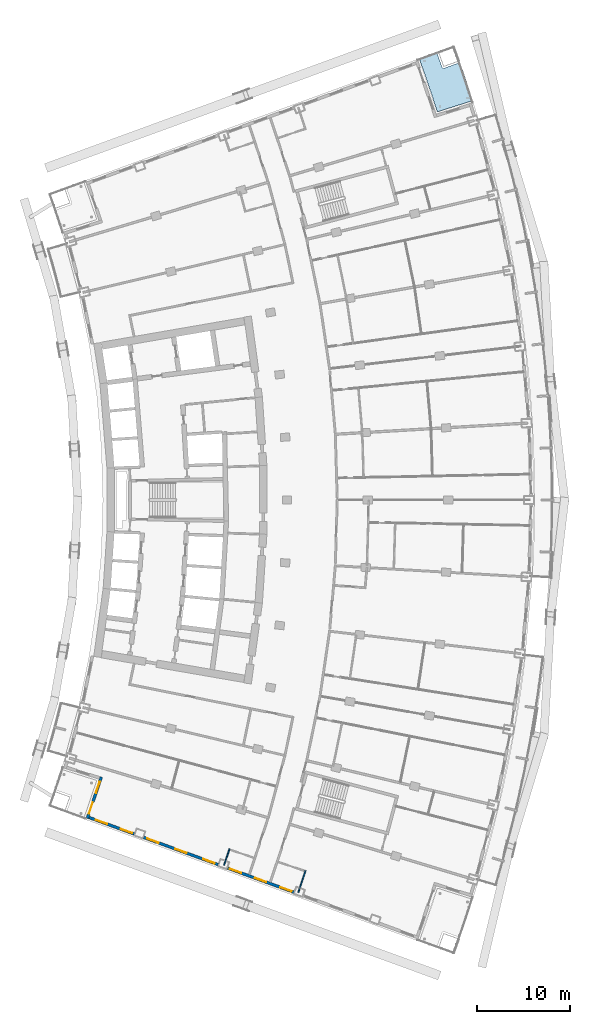
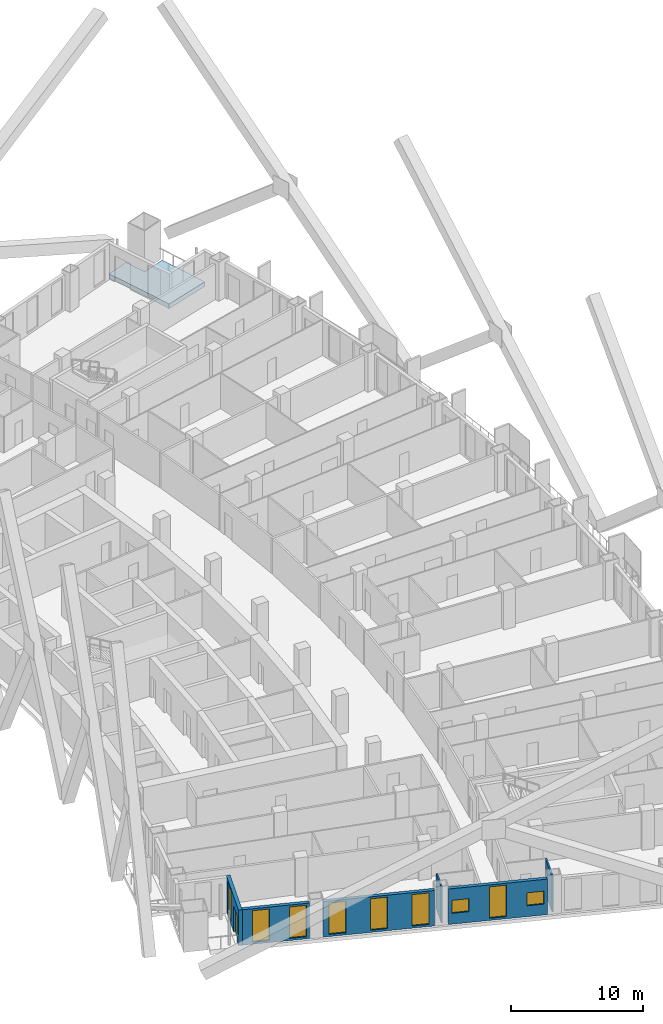
# One storey, part 13 of 26: 9 windows, 6 walls, 1 door, 1 slab, 10 openings.
"""IFC4 building model written with IfcOpenShell, lengths in metres."""

from ifc_helpers import new_model, si_unit, direction, frame, frame_2d, origin, place, context, subcontext, project, spatial, polyline, rectangle, outline, extrude, material, layer, layer_set, type_object, element, fill, save


model = new_model("IFC4")

# Units and contexts
model_context = context("Model", 3, precision=1e-05, world=origin(), true_north=direction((0.0, 1.0)))
body_context = subcontext(model_context, "Body", "Model", "MODEL_VIEW")
ifc_project = project(units=[si_unit("LENGTHUNIT", "METRE"), si_unit("AREAUNIT", "SQUARE_METRE"), si_unit("VOLUMEUNIT", "CUBIC_METRE"), si_unit("PLANEANGLEUNIT", "RADIAN"), si_unit("MASSUNIT", "GRAM", prefix="KILO")], contexts=[model_context])

# Site, building, storey
site_placement = place(None, origin())
site = spatial("IfcSite", under=ifc_project, at=site_placement, CompositionType="ELEMENT")
building_placement = place(site_placement, origin())
building = spatial("IfcBuilding", under=site, at=building_placement, Name="Alderwake Tower", CompositionType="ELEMENT")
storey_placement = place(building_placement, frame((0.0, 0.0, 82.39990234375)))
storey = spatial("IfcBuildingStorey", under=building, at=storey_placement, Name="L19", CompositionType="ELEMENT", Elevation=82.39990234375)

# Slab
ifc_material_1 = material(Name="Concrete C50/60", Category="concrete")
ifc_layer_1 = layer(ifc_material_1, 0.419921875)
ifc_layer_set_1 = layer_set([ifc_layer_1], Name="Terrace slab 420")
slab_type = type_object("IfcSlabType", Name="Terrace slab 420", PredefinedType="FLOOR", material=ifc_layer_set_1)
slab_placement = place(storey_placement, frame((0.0, 0.0, -0.419921875)))
element("IfcSlab", 1, at=slab_placement, inside=storey, type_object=slab_type, Name="Corner terrace FN", PredefinedType="FLOOR", context=body_context, shape_type="SweptSolid", body=[
    extrude(outline(polyline([(54.464599609375, 107.872802734375), (55.1337890625, 105.906982421875), (55.774169921875, 103.931396484375), (51.96044921875, 102.7255859375), (51.337890625, 104.6455078125), (50.6875, 106.55615234375), (50.00927734375, 108.45703125), (51.89599609375, 109.145751953125), (51.897216796875, 109.133544921875), (51.900146484375, 109.119140625), (51.904296875, 109.10498046875), (52.477294921875, 107.50439453125), (52.48291015625, 107.490966796875), (52.48974609375, 107.477783203125), (52.498046875, 107.4658203125), (52.50732421875, 107.454345703125), (52.517578125, 107.44384765625), (52.529052734375, 107.4345703125), (52.541259765625, 107.426513671875), (52.55419921875, 107.41943359375), (52.56787109375, 107.413818359375), (52.58203125, 107.409423828125), (52.596435546875, 107.406494140625), (52.611083984375, 107.4052734375), (52.625732421875, 107.4052734375), (52.640380859375, 107.406494140625), (52.65478515625, 107.409423828125), (52.6689453125, 107.413818359375), (54.406494140625, 108.035400390625), (54.464599609375, 107.872802734375)])), origin(), (0.0, 0.0, 1.0), 0.419921875),
])

# Wall, openings, door, window
ifc_material_2 = material(Name="Bronze metal cladding on lightweight framing")
ifc_layer_2 = layer(ifc_material_2, 0.300048828125)
ifc_layer_set_2 = layer_set([ifc_layer_2], Name="External wall EW2 bronze metal cladding")
wall_type_1 = type_object("IfcWallType", Name="External wall EW2 bronze metal cladding", PredefinedType="SOLIDWALL", material=ifc_layer_set_2)
wall_1_placement = place(storey_placement, frame((15.83740234375, 31.220703125, 0.0), z_axis=(0.0, 0.0, 1.0), x_axis=(-0.32041006121, -0.947278941324, 0.0)))
wall_1 = element("IfcWall", 2, at=wall_1_placement, inside=storey, type_object=wall_type_1, Name="External wall 3", PredefinedType="SOLIDWALL", context=body_context, shape_type="SweptSolid", body=[
    extrude(rectangle(XDim=4.68994140625, YDim=0.300048828125, at=frame_2d((2.344970703125, 0.0))), origin(), (0.0, 0.0, 1.0), 3.280029296875),
])
opening_1_placement = place(wall_1_placement, frame((0.5224609375, 0.0, 0.199951171875)))
opening_1 = element("IfcOpeningElement", 3, at=opening_1_placement, cuts=wall_1, Name="Opening W1", PredefinedType="OPENING", context=body_context, shape_type="SweptSolid", body=[
    extrude(rectangle(XDim=1.300048828125, YDim=2.89990234375, at=frame_2d((0.64990234375, 1.449951171875))), frame((0.0, 0.159912109375, 0.0), z_axis=(0.0, -1.0, 0.0), x_axis=(1.0, 0.0, 0.0)), (0.0, 0.0, 1.0), 0.320068359375),
])
opening_2_placement = place(wall_1_placement, frame((2.867431640625, 0.0, 0.0)))
opening_2 = element("IfcOpeningElement", 4, at=opening_2_placement, cuts=wall_1, Name="Opening D01", PredefinedType="OPENING", context=body_context, shape_type="SweptSolid", body=[
    extrude(rectangle(XDim=1.300048828125, YDim=2.39990234375, at=frame_2d((0.64990234375, 1.199951171875))), frame((0.0, 0.159912109375, 0.0), z_axis=(0.0, -1.0, 0.0), x_axis=(1.0, 0.0, 0.0)), (0.0, 0.0, 1.0), 0.320068359375),
])
ifc_material_3 = material(Name="Bronze tinted glass in aluminium frame", Category="aluminium")
door_type = type_object("IfcDoorType", Name="Balcony door BD sliding", OperationType="SLIDING_TO_LEFT", PredefinedType="DOOR", material=ifc_material_3)
door_placement = place(opening_2_placement, origin())
door = element("IfcDoor", 5, at=door_placement, inside=storey, type_object=door_type, Name="Door D01", OperationType="SLIDING_TO_LEFT", OverallHeight=2.39990234375, OverallWidth=1.300048828125, PredefinedType="DOOR", context=body_context, shape_type="SweptSolid", body=[
    extrude(rectangle(XDim=1.300048828125, YDim=2.39990234375, at=frame_2d((0.64990234375, 1.199951171875))), frame((0.0, 0.02490234375, 0.0), z_axis=(0.0, -1.0, 0.0), x_axis=(1.0, 0.0, 0.0)), (0.0, 0.0, 1.0), 0.050048828125),
])
fill(opening_2, door)
ifc_material_4 = material(Name="Bronze tinted glass in aluminium frame", Category="aluminium")
window_type_1 = type_object("IfcWindowType", Name="Window W1 tall fixed and vent", PartitioningType="DOUBLE_PANEL_VERTICAL", PredefinedType="WINDOW", material=ifc_material_4)
window_1_placement = place(opening_1_placement, origin())
window_1 = element("IfcWindow", 6, at=window_1_placement, inside=storey, type_object=window_type_1, Name="Window W1 tall fixed and vent", OverallHeight=2.89990234375, OverallWidth=1.300048828125, PartitioningType="DOUBLE_PANEL_VERTICAL", PredefinedType="WINDOW", context=body_context, shape_type="SweptSolid", body=[
    extrude(rectangle(XDim=1.300048828125, YDim=2.89990234375, at=frame_2d((0.64990234375, 1.449951171875))), frame((0.0, 0.030029296875, 0.0), z_axis=(0.0, -1.0, 0.0), x_axis=(1.0, 0.0, 0.0)), (0.0, 0.0, 1.0), 0.06005859375),
])
fill(opening_1, window_1)

# Wall, openings, windows
wall_2_placement = place(storey_placement, frame((14.523681640625, 26.86865234375, 0.0), z_axis=(0.0, 0.0, 1.0), x_axis=(0.939378067131, -0.342883138974, 0.0)))
wall_2 = element("IfcWall", 7, at=wall_2_placement, inside=storey, type_object=wall_type_1, Name="External wall 4", PredefinedType="SOLIDWALL", context=body_context, shape_type="SweptSolid", body=[
    extrude(rectangle(XDim=5.17431640625, YDim=0.300048828125, at=frame_2d((2.587158203125, 0.0))), origin(), (0.0, 0.0, 1.0), 3.280029296875),
])
opening_3_placement = place(wall_2_placement, frame((0.775390625, 0.0, 0.199951171875)))
opening_3 = element("IfcOpeningElement", 8, at=opening_3_placement, cuts=wall_2, Name="Opening W1", PredefinedType="OPENING", context=body_context, shape_type="SweptSolid", body=[
    extrude(rectangle(XDim=1.300048828125, YDim=2.89990234375, at=frame_2d((0.64990234375, 1.449951171875))), frame((0.0, 0.159912109375, 0.0), z_axis=(0.0, -1.0, 0.0), x_axis=(1.0, 0.0, 0.0)), (0.0, 0.0, 1.0), 0.320068359375),
])
opening_4_placement = place(wall_2_placement, frame((3.626220703125, 0.0, 0.199951171875)))
opening_4 = element("IfcOpeningElement", 9, at=opening_4_placement, cuts=wall_2, Name="Opening W1", PredefinedType="OPENING", context=body_context, shape_type="SweptSolid", body=[
    extrude(rectangle(XDim=1.300048828125, YDim=2.89990234375, at=frame_2d((0.64990234375, 1.449951171875))), frame((0.0, 0.159912109375, 0.0), z_axis=(0.0, -1.0, 0.0), x_axis=(1.0, 0.0, 0.0)), (0.0, 0.0, 1.0), 0.320068359375),
])
window_2_placement = place(opening_3_placement, origin())
window_2 = element("IfcWindow", 10, at=window_2_placement, inside=storey, type_object=window_type_1, Name="Window W1 tall fixed and vent", OverallHeight=2.89990234375, OverallWidth=1.300048828125, PartitioningType="DOUBLE_PANEL_VERTICAL", PredefinedType="WINDOW", context=body_context, shape_type="SweptSolid", body=[
    extrude(rectangle(XDim=1.300048828125, YDim=2.89990234375, at=frame_2d((0.64990234375, 1.449951171875))), frame((0.0, 0.030029296875, 0.0), z_axis=(0.0, -1.0, 0.0), x_axis=(1.0, 0.0, 0.0)), (0.0, 0.0, 1.0), 0.06005859375),
])
fill(opening_3, window_2)
window_3_placement = place(opening_4_placement, origin())
window_3 = element("IfcWindow", 11, at=window_3_placement, inside=storey, type_object=window_type_1, Name="Window W1 tall fixed and vent", OverallHeight=2.89990234375, OverallWidth=1.300048828125, PartitioningType="DOUBLE_PANEL_VERTICAL", PredefinedType="WINDOW", context=body_context, shape_type="SweptSolid", body=[
    extrude(rectangle(XDim=1.300048828125, YDim=2.89990234375, at=frame_2d((0.64990234375, 1.449951171875))), frame((0.0, 0.030029296875, 0.0), z_axis=(0.0, -1.0, 0.0), x_axis=(1.0, 0.0, 0.0)), (0.0, 0.0, 1.0), 0.06005859375),
])
fill(opening_4, window_3)

wall_3_placement = place(storey_placement, frame((20.375244140625, 24.73291015625, 0.0), z_axis=(0.0, 0.0, 1.0), x_axis=(0.939364770023, -0.342919566137, 0.0)))
wall_3 = element("IfcWall", 12, at=wall_3_placement, inside=storey, type_object=wall_type_1, Name="External wall 5", PredefinedType="SOLIDWALL", context=body_context, shape_type="SweptSolid", body=[
    extrude(rectangle(XDim=8.54541015625, YDim=0.300048828125, at=frame_2d((4.272705078125, 0.0))), origin(), (0.0, 0.0, 1.0), 3.280029296875),
])
opening_5_placement = place(wall_3_placement, frame((0.422607421875, 0.0, 0.199951171875)))
opening_5 = element("IfcOpeningElement", 13, at=opening_5_placement, cuts=wall_3, Name="Opening W1", PredefinedType="OPENING", context=body_context, shape_type="SweptSolid", body=[
    extrude(rectangle(XDim=1.300048828125, YDim=2.89990234375, at=frame_2d((0.64990234375, 1.449951171875))), frame((0.0, 0.159912109375, 0.0), z_axis=(0.0, -1.0, 0.0), x_axis=(1.0, 0.0, 0.0)), (0.0, 0.0, 1.0), 0.320068359375),
])
opening_6_placement = place(wall_3_placement, frame((3.622802734375, 0.0, 0.199951171875)))
opening_6 = element("IfcOpeningElement", 14, at=opening_6_placement, cuts=wall_3, Name="Opening W1", PredefinedType="OPENING", context=body_context, shape_type="SweptSolid", body=[
    extrude(rectangle(XDim=1.300048828125, YDim=2.89990234375, at=frame_2d((0.64990234375, 1.449951171875))), frame((0.0, 0.159912109375, 0.0), z_axis=(0.0, -1.0, 0.0), x_axis=(1.0, 0.0, 0.0)), (0.0, 0.0, 1.0), 0.320068359375),
])
opening_7_placement = place(wall_3_placement, frame((6.82275390625, 0.0, 0.199951171875)))
opening_7 = element("IfcOpeningElement", 15, at=opening_7_placement, cuts=wall_3, Name="Opening W1", PredefinedType="OPENING", context=body_context, shape_type="SweptSolid", body=[
    extrude(rectangle(XDim=1.300048828125, YDim=2.89990234375, at=frame_2d((0.64990234375, 1.449951171875))), frame((0.0, 0.159912109375, 0.0), z_axis=(0.0, -1.0, 0.0), x_axis=(1.0, 0.0, 0.0)), (0.0, 0.0, 1.0), 0.320068359375),
])
window_4_placement = place(opening_5_placement, origin())
window_4 = element("IfcWindow", 16, at=window_4_placement, inside=storey, type_object=window_type_1, Name="Window W1 tall fixed and vent", OverallHeight=2.89990234375, OverallWidth=1.300048828125, PartitioningType="DOUBLE_PANEL_VERTICAL", PredefinedType="WINDOW", context=body_context, shape_type="SweptSolid", body=[
    extrude(rectangle(XDim=1.300048828125, YDim=2.89990234375, at=frame_2d((0.64990234375, 1.449951171875))), frame((0.0, 0.030029296875, 0.0), z_axis=(0.0, -1.0, 0.0), x_axis=(1.0, 0.0, 0.0)), (0.0, 0.0, 1.0), 0.06005859375),
])
fill(opening_5, window_4)
window_5_placement = place(opening_6_placement, origin())
window_5 = element("IfcWindow", 17, at=window_5_placement, inside=storey, type_object=window_type_1, Name="Window W1 tall fixed and vent", OverallHeight=2.89990234375, OverallWidth=1.300048828125, PartitioningType="DOUBLE_PANEL_VERTICAL", PredefinedType="WINDOW", context=body_context, shape_type="SweptSolid", body=[
    extrude(rectangle(XDim=1.300048828125, YDim=2.89990234375, at=frame_2d((0.64990234375, 1.449951171875))), frame((0.0, 0.030029296875, 0.0), z_axis=(0.0, -1.0, 0.0), x_axis=(1.0, 0.0, 0.0)), (0.0, 0.0, 1.0), 0.06005859375),
])
fill(opening_6, window_5)
window_6_placement = place(opening_7_placement, origin())
window_6 = element("IfcWindow", 18, at=window_6_placement, inside=storey, type_object=window_type_1, Name="Window W1 tall fixed and vent", OverallHeight=2.89990234375, OverallWidth=1.300048828125, PartitioningType="DOUBLE_PANEL_VERTICAL", PredefinedType="WINDOW", context=body_context, shape_type="SweptSolid", body=[
    extrude(rectangle(XDim=1.300048828125, YDim=2.89990234375, at=frame_2d((0.64990234375, 1.449951171875))), frame((0.0, 0.030029296875, 0.0), z_axis=(0.0, -1.0, 0.0), x_axis=(1.0, 0.0, 0.0)), (0.0, 0.0, 1.0), 0.06005859375),
])
fill(opening_7, window_6)

wall_4_placement = place(storey_placement, frame((29.39306640625, 21.44091796875, 0.0), z_axis=(0.0, 0.0, 1.0), x_axis=(0.939383555457, -0.342868102536, 0.0)))
wall_4 = element("IfcWall", 19, at=wall_4_placement, inside=storey, type_object=wall_type_1, Name="External wall 6", PredefinedType="SOLIDWALL", context=body_context, shape_type="SweptSolid", body=[
    extrude(rectangle(XDim=7.612548828125, YDim=0.300048828125, at=frame_2d((3.80615234375, 0.0))), origin(), (0.0, 0.0, 1.0), 3.280029296875),
])
opening_8_placement = place(wall_4_placement, frame((0.267333984375, 0.0, 1.0)))
opening_8 = element("IfcOpeningElement", 20, at=opening_8_placement, cuts=wall_4, Name="Opening W2", PredefinedType="OPENING", context=body_context, shape_type="SweptSolid", body=[
    extrude(rectangle(XDim=1.300048828125, YDim=1.199951171875, at=frame_2d((0.64990234375, 0.60009765625))), frame((0.0, 0.159912109375, 0.0), z_axis=(0.0, -1.0, 0.0), x_axis=(1.0, 0.0, 0.0)), (0.0, 0.0, 1.0), 0.320068359375),
])
opening_9_placement = place(wall_4_placement, frame((3.15625, 0.0, 0.199951171875)))
opening_9 = element("IfcOpeningElement", 21, at=opening_9_placement, cuts=wall_4, Name="Opening W1", PredefinedType="OPENING", context=body_context, shape_type="SweptSolid", body=[
    extrude(rectangle(XDim=1.300048828125, YDim=2.89990234375, at=frame_2d((0.64990234375, 1.449951171875))), frame((0.0, 0.159912109375, 0.0), z_axis=(0.0, -1.0, 0.0), x_axis=(1.0, 0.0, 0.0)), (0.0, 0.0, 1.0), 0.320068359375),
])
opening_10_placement = place(wall_4_placement, frame((6.045166015625, 0.0, 1.0)))
opening_10 = element("IfcOpeningElement", 22, at=opening_10_placement, cuts=wall_4, Name="Opening W2", PredefinedType="OPENING", context=body_context, shape_type="SweptSolid", body=[
    extrude(rectangle(XDim=1.300048828125, YDim=1.199951171875, at=frame_2d((0.64990234375, 0.60009765625))), frame((0.0, 0.159912109375, 0.0), z_axis=(0.0, -1.0, 0.0), x_axis=(1.0, 0.0, 0.0)), (0.0, 0.0, 1.0), 0.320068359375),
])
window_7_placement = place(opening_9_placement, origin())
window_7 = element("IfcWindow", 23, at=window_7_placement, inside=storey, type_object=window_type_1, Name="Window W1 tall fixed and vent", OverallHeight=2.89990234375, OverallWidth=1.300048828125, PartitioningType="DOUBLE_PANEL_VERTICAL", PredefinedType="WINDOW", context=body_context, shape_type="SweptSolid", body=[
    extrude(rectangle(XDim=1.300048828125, YDim=2.89990234375, at=frame_2d((0.64990234375, 1.449951171875))), frame((0.0, 0.030029296875, 0.0), z_axis=(0.0, -1.0, 0.0), x_axis=(1.0, 0.0, 0.0)), (0.0, 0.0, 1.0), 0.06005859375),
])
fill(opening_9, window_7)
ifc_material_5 = material(Name="Bronze tinted glass in aluminium frame", Category="aluminium")
window_type_2 = type_object("IfcWindowType", Name="Window W2 kitchen and bath", PartitioningType="SINGLE_PANEL", PredefinedType="WINDOW", material=ifc_material_5)
window_8_placement = place(opening_8_placement, origin())
window_8 = element("IfcWindow", 24, at=window_8_placement, inside=storey, type_object=window_type_2, Name="Window W2 kitchen and bath", OverallHeight=1.199951171875, OverallWidth=1.300048828125, PartitioningType="SINGLE_PANEL", PredefinedType="WINDOW", context=body_context, shape_type="SweptSolid", body=[
    extrude(rectangle(XDim=1.300048828125, YDim=1.199951171875, at=frame_2d((0.64990234375, 0.60009765625))), frame((0.0, 0.030029296875, 0.0), z_axis=(0.0, -1.0, 0.0), x_axis=(1.0, 0.0, 0.0)), (0.0, 0.0, 1.0), 0.06005859375),
])
fill(opening_8, window_8)
window_9_placement = place(opening_10_placement, origin())
window_9 = element("IfcWindow", 25, at=window_9_placement, inside=storey, type_object=window_type_2, Name="Window W2 kitchen and bath", OverallHeight=1.199951171875, OverallWidth=1.300048828125, PartitioningType="SINGLE_PANEL", PredefinedType="WINDOW", context=body_context, shape_type="SweptSolid", body=[
    extrude(rectangle(XDim=1.300048828125, YDim=1.199951171875, at=frame_2d((0.64990234375, 0.60009765625))), frame((0.0, 0.030029296875, 0.0), z_axis=(0.0, -1.0, 0.0), x_axis=(1.0, 0.0, 0.0)), (0.0, 0.0, 1.0), 0.06005859375),
])
fill(opening_10, window_9)

# Walls
ifc_material_6 = material(Name="Moisture resistant gypsum board on metal studs")
ifc_layer_3 = layer(ifc_material_6, 0.1201171875)
ifc_layer_set_3 = layer_set([ifc_layer_3], Name="Wet room partition 120")
wall_type_2 = type_object("IfcWallType", Name="Wet room partition 120", PredefinedType="PARTITIONING", material=ifc_layer_set_3)
wall_5_placement = place(storey_placement, frame((29.616943359375, 23.495849609375, 0.0), z_axis=(0.0, 0.0, 1.0), x_axis=(-0.315242462823, -0.949011164125, 0.0)))
element("IfcWall", 26, at=wall_5_placement, inside=storey, type_object=wall_type_2, Name="WL/L19/W44", PredefinedType="PARTITIONING", context=body_context, shape_type="SweptSolid", body=[
    extrude(rectangle(XDim=1.858642578125, YDim=0.1201171875, at=frame_2d((0.92919921875, 0.0))), origin(), (0.0, 0.0, 1.0), 3.280029296875),
])
wall_6_placement = place(storey_placement, frame((37.01708984375, 18.819091796875, 0.0), z_axis=(0.0, 0.0, 1.0), x_axis=(0.314739948462, 0.949177941612, 0.0)))
element("IfcWall", 27, at=wall_6_placement, inside=storey, type_object=wall_type_2, Name="WL/L19/W51", PredefinedType="PARTITIONING", context=body_context, shape_type="SweptSolid", body=[
    extrude(rectangle(XDim=2.462158203125, YDim=0.1201171875, at=frame_2d((1.23095703125, 0.0))), origin(), (0.0, 0.0, 1.0), 3.280029296875),
])

save(model, "model.ifc")
